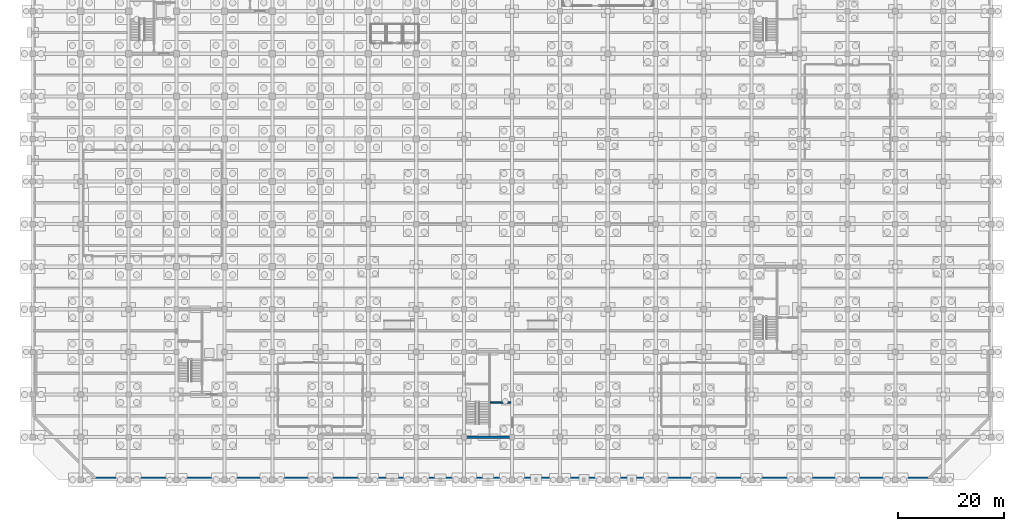
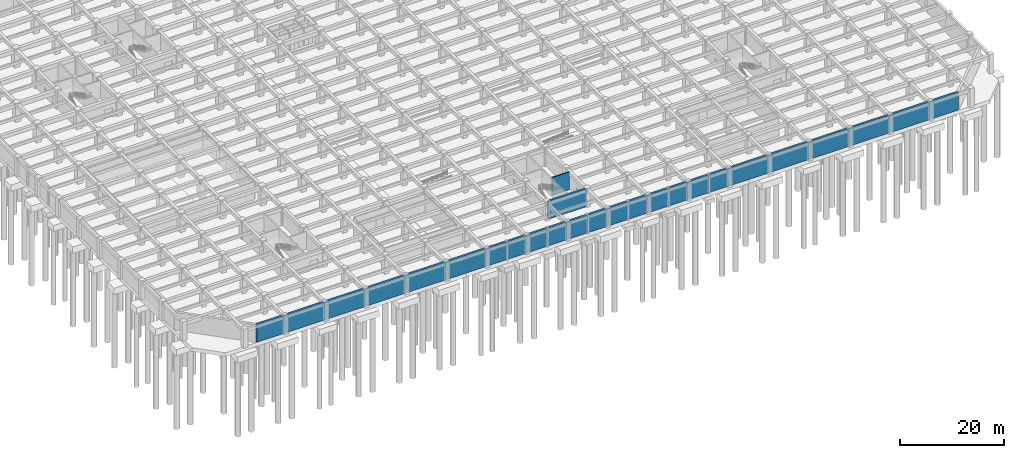
# One storey, part 19 of 31: 3 walls.
"""IFC4 building model written with IfcOpenShell, lengths in metres."""

from ifc_helpers import new_model, si_unit, direction, frame, frame_2d, origin, place, context, subcontext, project, spatial, rectangle, extrude, material, layer, layer_set, type_object, element, save


model = new_model("IFC4")

# Units and contexts
model_context = context("Model", 3, precision=1e-05, world=origin(), true_north=direction((0.0, 1.0)))
body_context = subcontext(model_context, "Body", "Model", "MODEL_VIEW")
ifc_project = project(units=[si_unit("LENGTHUNIT", "METRE"), si_unit("AREAUNIT", "SQUARE_METRE"), si_unit("VOLUMEUNIT", "CUBIC_METRE"), si_unit("PLANEANGLEUNIT", "RADIAN"), si_unit("MASSUNIT", "GRAM", prefix="KILO")], contexts=[model_context])

# Site, building, storey
site_placement = place(None, origin())
site = spatial("IfcSite", under=ifc_project, at=site_placement, CompositionType="ELEMENT")
building_placement = place(site_placement, origin())
building = spatial("IfcBuilding", under=site, at=building_placement, Name="Zaverband Oceanarium and Marine Research Institute", CompositionType="ELEMENT")
storey_placement = place(building_placement, frame((0.0, 0.0, -9.0)))
storey = spatial("IfcBuildingStorey", under=building, at=storey_placement, Name="B2", CompositionType="ELEMENT", Elevation=-9.0)

# Walls
ifc_material_1 = material(Name="Concrete C50/60", Category="concrete")
ifc_layer_1 = layer(ifc_material_1, 0.449951171875, Name="Concrete C50/60")
ifc_layer_set_1 = layer_set([ifc_layer_1], Name="Concrete C50/60")
wall_type_1 = type_object("IfcWallType", Name="CW-02", PredefinedType="SHEAR", material=ifc_layer_set_1)
wall_1_placement = place(storey_placement, frame((81.22509765625, 8.0, 0.0), z_axis=(0.0, 0.0, 1.0), x_axis=(1.0, 0.0, 0.0)))
element("IfcWall", 1, at=wall_1_placement, inside=storey, type_object=wall_type_1, Name="Structural shear wall CW-02", PredefinedType="SHEAR", context=body_context, shape_type="SweptSolid", body=[
    extrude(rectangle(XDim=8.5498046875, YDim=0.449951171875, at=frame_2d((4.27490234375, 0.0))), origin(), (0.0, 0.0, 1.0), 4.199951171875),
])
ifc_layer_2 = layer(ifc_material_1, 0.25, Name="Concrete C50/60")
ifc_layer_set_2 = layer_set([ifc_layer_2], Name="Concrete C50/60")
wall_type_2 = type_object("IfcWallType", Name="PW-CORE-250", PredefinedType="SOLIDWALL", material=ifc_layer_set_2)
wall_2_placement = place(storey_placement, frame((85.905029296875, 14.47509765625, 0.0), z_axis=(0.0, 0.0, 1.0), x_axis=(1.0, 0.0, 0.0)))
element("IfcWall", 2, at=wall_2_placement, inside=storey, type_object=wall_type_2, Name="Structural concrete wall PW-CORE-250", PredefinedType="SOLIDWALL", context=body_context, shape_type="SweptSolid", body=[
    extrude(rectangle(XDim=3.869873046875, YDim=0.25, at=frame_2d((1.93505859375, 0.0))), origin(), (0.0, 0.0, 1.0), 4.199951171875),
])
ifc_material_2 = material(Name="Concrete C45/55", Category="concrete")
ifc_layer_3 = layer(ifc_material_2, 0.47998046875, Name="Concrete C45/55")
ifc_layer_set_3 = layer_set([ifc_layer_3], Name="Concrete C45/55")
wall_type_3 = type_object("IfcWallType", Name="RW-01", PredefinedType="SHEAR", material=ifc_layer_set_3)
wall_3_placement = place(storey_placement, frame((11.75, 0.25, 0.0), z_axis=(0.0, 0.0, 1.0), x_axis=(1.0, 0.0, 0.0)))
element("IfcWall", 3, at=wall_3_placement, inside=storey, type_object=wall_type_3, Name="Basement retaining wall RW-01", PredefinedType="SHEAR", context=body_context, shape_type="SweptSolid", body=[
    extrude(rectangle(XDim=156.5, YDim=0.47998046875, at=frame_2d((78.25, 0.0))), origin(), (0.0, 0.0, 1.0), 4.199951171875),
])

save(model, "model.ifc")
